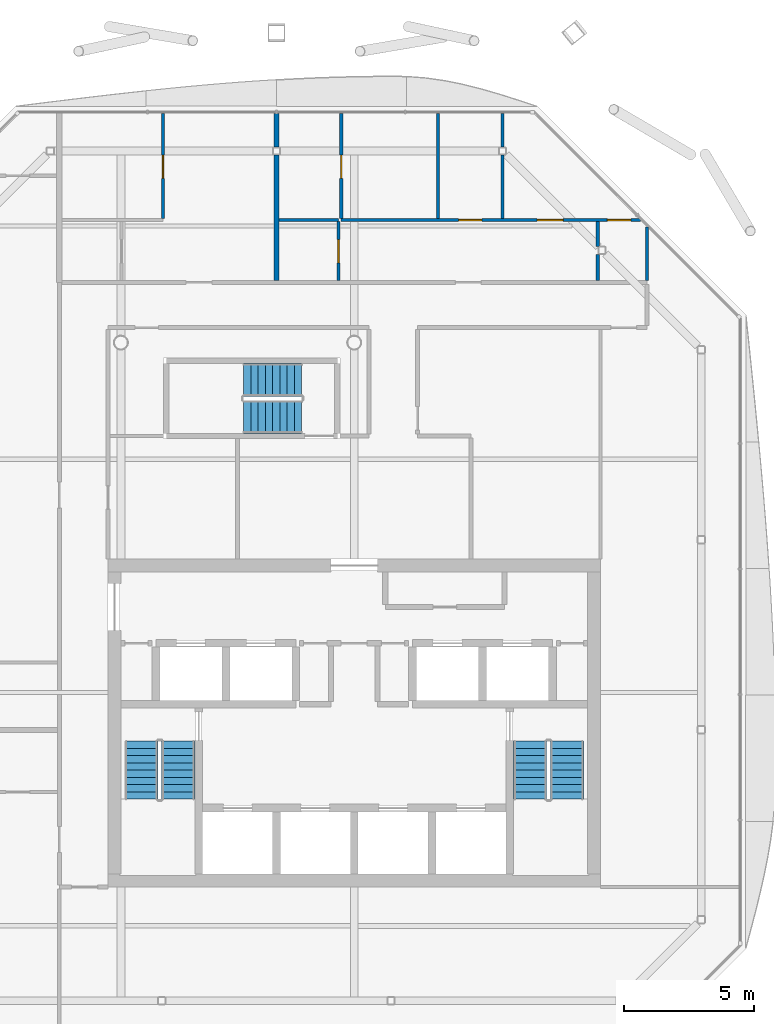
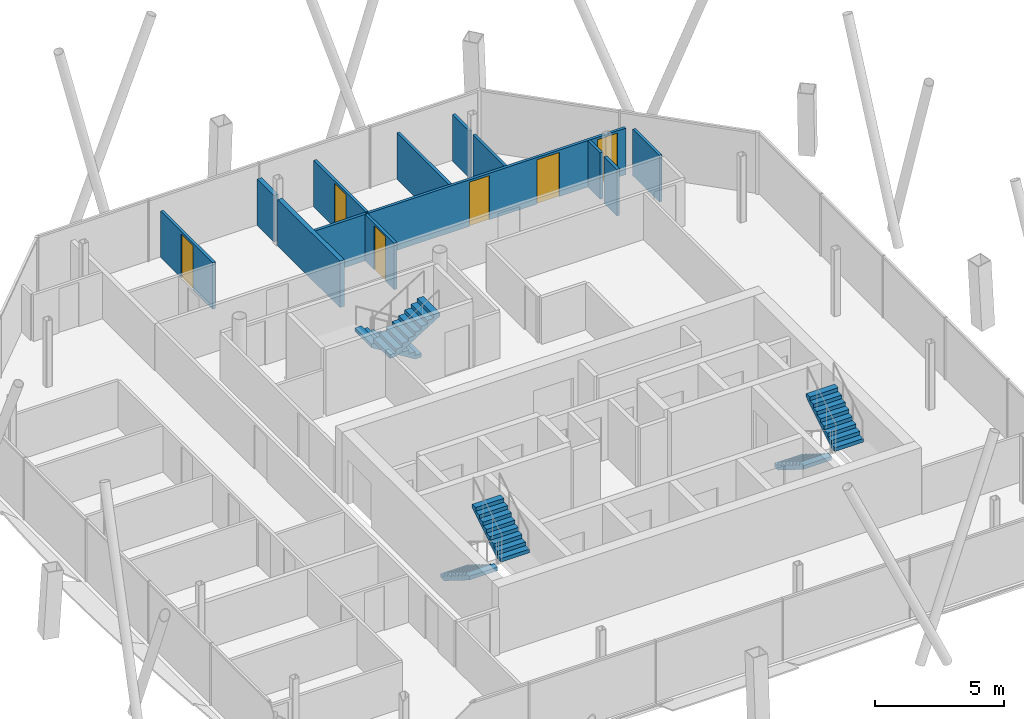
# One storey, part 14 of 17: 13 walls, 6 doors, 6 stair flights, 6 openings, 3 elements without a shape of their own.
"""IFC4 building model written with IfcOpenShell, lengths in metres."""

from ifc_helpers import new_model, si_unit, direction, frame, frame_2d, origin, place, context, subcontext, project, spatial, polyline, rectangle, outline, extrude, material, layer, layer_set, type_object, element, fill, aggregate, save


model = new_model("IFC4")

# Units and contexts
model_context = context("Model", 3, precision=1e-05, world=origin(), true_north=direction((0.0, 1.0)))
body_context = subcontext(model_context, "Body", "Model", "MODEL_VIEW")
ifc_project = project(units=[si_unit("LENGTHUNIT", "METRE"), si_unit("AREAUNIT", "SQUARE_METRE"), si_unit("VOLUMEUNIT", "CUBIC_METRE"), si_unit("PLANEANGLEUNIT", "RADIAN"), si_unit("MASSUNIT", "GRAM", prefix="KILO")], contexts=[model_context])

# Site, building, storey
site_placement = place(None, origin())
site = spatial("IfcSite", under=ifc_project, at=site_placement, CompositionType="ELEMENT")
building_placement = place(site_placement, origin())
building = spatial("IfcBuilding", under=site, at=building_placement, Name="Tskaro Facet Tower", CompositionType="ELEMENT")
storey_placement = place(building_placement, frame((0.0, 0.0, 236.10009765625)))
storey = spatial("IfcBuildingStorey", under=building, at=storey_placement, Name="L61", CompositionType="ELEMENT", Elevation=236.10009765625)

# Wall
ifc_material_1 = material(Name="Gypsum board on steel studs", Category="steel")
ifc_layer_1 = layer(ifc_material_1, 0.125, Name="Gypsum board on steel studs")
ifc_layer_set_1 = layer_set([ifc_layer_1], Name="Gypsum board on steel studs")
wall_type_1 = type_object("IfcWallType", Name="PART", PredefinedType="PARTITIONING", material=ifc_layer_set_1)
wall_1_placement = place(storey_placement, frame((-2.89990234375, 13.72509765625, 0.0), z_axis=(0.0, 0.0, 1.0), x_axis=(1.0, 0.0, 0.0)))
element("IfcWall", 1, at=wall_1_placement, inside=storey, type_object=wall_type_1, Name="Partition W036", PredefinedType="PARTITIONING", context=body_context, shape_type="SweptSolid", body=[
    extrude(rectangle(XDim=2.2998046875, YDim=0.125, at=frame_2d((1.14990234375, 0.0))), origin(), (0.0, 0.0, 1.0), 2.2099609375),
])

# Wall, openings, doors
wall_2_placement = place(storey_placement, frame((-0.5, 13.72509765625, 0.0), z_axis=(0.0, 0.0, 1.0), x_axis=(1.0, 0.0, 0.0)))
wall_2 = element("IfcWall", 2, at=wall_2_placement, inside=storey, type_object=wall_type_1, Name="Partition W037", PredefinedType="PARTITIONING", context=body_context, shape_type="SweptSolid", body=[
    extrude(rectangle(XDim=11.5419921875, YDim=0.125, at=frame_2d((5.77099609375, 0.0))), origin(), (0.0, 0.0, 1.0), 2.2099609375),
])
opening_1_placement = place(wall_2_placement, frame((4.530029296875, 0.0, 0.0)))
opening_1 = element("IfcOpeningElement", 3, at=opening_1_placement, cuts=wall_2, Name="Opening T18-D27", PredefinedType="OPENING", context=body_context, shape_type="SweptSolid", body=[
    extrude(rectangle(XDim=0.89990234375, YDim=2.10009765625, at=frame_2d((0.449951171875, 1.050048828125))), frame((0.0, 0.072509765625, 0.0), z_axis=(0.0, -1.0, 0.0), x_axis=(1.0, 0.0, 0.0)), (0.0, 0.0, 1.0), 0.14501953125),
])
opening_2_placement = place(wall_2_placement, frame((7.5625, 0.0, 0.0)))
opening_2 = element("IfcOpeningElement", 4, at=opening_2_placement, cuts=wall_2, Name="Opening T18-D28", PredefinedType="OPENING", context=body_context, shape_type="SweptSolid", body=[
    extrude(rectangle(XDim=1.0, YDim=2.10009765625, at=frame_2d((0.5, 1.050048828125))), frame((0.0, 0.072509765625, 0.0), z_axis=(0.0, -1.0, 0.0), x_axis=(1.0, 0.0, 0.0)), (0.0, 0.0, 1.0), 0.14501953125),
])
opening_3_placement = place(wall_2_placement, frame((10.27099609375, 0.0, 0.0)))
opening_3 = element("IfcOpeningElement", 5, at=opening_3_placement, cuts=wall_2, Name="Opening T18-D29", PredefinedType="OPENING", context=body_context, shape_type="SweptSolid", body=[
    extrude(rectangle(XDim=0.89990234375, YDim=2.10009765625, at=frame_2d((0.449951171875, 1.050048828125))), frame((0.0, 0.072509765625, 0.0), z_axis=(0.0, -1.0, 0.0), x_axis=(1.0, 0.0, 0.0)), (0.0, 0.0, 1.0), 0.14501953125),
])
ifc_material_2 = material(Name="Timber", Category="wood")
door_type_1 = type_object("IfcDoorType", Name="D-ROOM", OperationType="NOTDEFINED", PredefinedType="DOOR", material=ifc_material_2)
door_1_placement = place(opening_1_placement, origin())
door_1 = element("IfcDoor", 6, at=door_1_placement, inside=storey, type_object=door_type_1, Name="Door T18-D27", OperationType="SINGLE_SWING_LEFT", OverallHeight=2.10009765625, OverallWidth=0.89990234375, PredefinedType="DOOR", context=body_context, shape_type="SweptSolid", body=[
    extrude(rectangle(XDim=0.89990234375, YDim=2.10009765625, at=frame_2d((0.449951171875, 1.050048828125))), frame((0.0, 0.02490234375, 0.0), z_axis=(0.0, -1.0, 0.0), x_axis=(1.0, 0.0, 0.0)), (0.0, 0.0, 1.0), 0.050048828125),
])
fill(opening_1, door_1)
door_2_placement = place(opening_3_placement, origin())
door_2 = element("IfcDoor", 7, at=door_2_placement, inside=storey, type_object=door_type_1, Name="Door T18-D29", OperationType="SINGLE_SWING_LEFT", OverallHeight=2.10009765625, OverallWidth=0.89990234375, PredefinedType="DOOR", context=body_context, shape_type="SweptSolid", body=[
    extrude(rectangle(XDim=0.89990234375, YDim=2.10009765625, at=frame_2d((0.449951171875, 1.050048828125))), frame((0.0, 0.02490234375, 0.0), z_axis=(0.0, -1.0, 0.0), x_axis=(1.0, 0.0, 0.0)), (0.0, 0.0, 1.0), 0.050048828125),
])
fill(opening_3, door_2)
door_type_2 = type_object("IfcDoorType", Name="D-ROOM-WIDE", OperationType="NOTDEFINED", PredefinedType="DOOR", material=ifc_material_2)
door_3_placement = place(opening_2_placement, origin())
door_3 = element("IfcDoor", 8, at=door_3_placement, inside=storey, type_object=door_type_2, Name="Door T18-D28", OperationType="SINGLE_SWING_LEFT", OverallHeight=2.10009765625, OverallWidth=1.0, PredefinedType="DOOR", context=body_context, shape_type="SweptSolid", body=[
    extrude(rectangle(XDim=1.0, YDim=2.10009765625, at=frame_2d((0.5, 1.050048828125))), frame((0.0, 0.02490234375, 0.0), z_axis=(0.0, -1.0, 0.0), x_axis=(1.0, 0.0, 0.0)), (0.0, 0.0, 1.0), 0.050048828125),
])
fill(opening_2, door_3)

# Wall, opening, door
wall_3_placement = place(storey_placement, frame((-7.375, 13.78759765625, 0.0), z_axis=(0.0, 0.0, 1.0), x_axis=(0.0, 1.0, 0.0)))
wall_3 = element("IfcWall", 9, at=wall_3_placement, inside=storey, type_object=wall_type_1, Name="Partition W047", PredefinedType="PARTITIONING", context=body_context, shape_type="SweptSolid", body=[
    extrude(rectangle(XDim=4.051513671875, YDim=0.125, at=frame_2d((2.02587890625, 0.0))), origin(), (0.0, 0.0, 1.0), 2.2099609375),
])
opening_4_placement = place(wall_3_placement, frame((1.54443359375, 0.0, 0.0)))
opening_4 = element("IfcOpeningElement", 10, at=opening_4_placement, cuts=wall_3, Name="Opening T18-D31", PredefinedType="OPENING", context=body_context, shape_type="SweptSolid", body=[
    extrude(rectangle(XDim=0.89990234375, YDim=2.10009765625, at=frame_2d((0.449951171875, 1.050048828125))), frame((0.0, 0.072509765625, 0.0), z_axis=(0.0, -1.0, 0.0), x_axis=(1.0, 0.0, 0.0)), (0.0, 0.0, 1.0), 0.14501953125),
])
door_4_placement = place(opening_4_placement, origin())
door_4 = element("IfcDoor", 11, at=door_4_placement, inside=storey, type_object=door_type_1, Name="Door T18-D31", OperationType="SINGLE_SWING_RIGHT", OverallHeight=2.10009765625, OverallWidth=0.89990234375, PredefinedType="DOOR", context=body_context, shape_type="SweptSolid", body=[
    extrude(rectangle(XDim=0.89990234375, YDim=2.10009765625, at=frame_2d((0.449951171875, 1.050048828125))), frame((0.0, 0.02490234375, 0.0), z_axis=(0.0, -1.0, 0.0), x_axis=(1.0, 0.0, 0.0)), (0.0, 0.0, 1.0), 0.050048828125),
])
fill(opening_4, door_4)

wall_4_placement = place(storey_placement, frame((-0.60009765625, 11.39990234375, 0.0), z_axis=(0.0, 0.0, 1.0), x_axis=(0.0, 1.0, 0.0)))
wall_4 = element("IfcWall", 12, at=wall_4_placement, inside=storey, type_object=wall_type_1, Name="Partition W058", PredefinedType="PARTITIONING", context=body_context, shape_type="SweptSolid", body=[
    extrude(rectangle(XDim=2.2626953125, YDim=0.125, at=frame_2d((1.13134765625, 0.0))), origin(), (0.0, 0.0, 1.0), 2.2099609375),
])
opening_5_placement = place(wall_4_placement, frame((0.675048828125, 0.0, 0.0)))
opening_5 = element("IfcOpeningElement", 13, at=opening_5_placement, cuts=wall_4, Name="Opening T18-D26", PredefinedType="OPENING", context=body_context, shape_type="SweptSolid", body=[
    extrude(rectangle(XDim=0.89990234375, YDim=2.10009765625, at=frame_2d((0.449951171875, 1.050048828125))), frame((0.0, 0.072509765625, 0.0), z_axis=(0.0, -1.0, 0.0), x_axis=(1.0, 0.0, 0.0)), (0.0, 0.0, 1.0), 0.14501953125),
])
door_5_placement = place(opening_5_placement, origin())
door_5 = element("IfcDoor", 14, at=door_5_placement, inside=storey, type_object=door_type_1, Name="Door T18-D26", OperationType="SINGLE_SWING_LEFT", OverallHeight=2.10009765625, OverallWidth=0.89990234375, PredefinedType="DOOR", context=body_context, shape_type="SweptSolid", body=[
    extrude(rectangle(XDim=0.89990234375, YDim=2.10009765625, at=frame_2d((0.449951171875, 1.050048828125))), frame((0.0, 0.02490234375, 0.0), z_axis=(0.0, -1.0, 0.0), x_axis=(1.0, 0.0, 0.0)), (0.0, 0.0, 1.0), 0.050048828125),
])
fill(opening_5, door_5)

wall_5_placement = place(storey_placement, frame((-0.5, 17.839111328125, 0.0), z_axis=(0.0, 0.0, 1.0), x_axis=(0.0, -1.0, 0.0)))
wall_5 = element("IfcWall", 15, at=wall_5_placement, inside=storey, type_object=wall_type_1, Name="Partition W059", PredefinedType="PARTITIONING", context=body_context, shape_type="SweptSolid", body=[
    extrude(rectangle(XDim=4.051513671875, YDim=0.125, at=frame_2d((2.02587890625, 0.0))), origin(), (0.0, 0.0, 1.0), 2.2099609375),
])
opening_6_placement = place(wall_5_placement, frame((1.60693359375, 0.0, 0.0)))
opening_6 = element("IfcOpeningElement", 16, at=opening_6_placement, cuts=wall_5, Name="Opening T18-D32", PredefinedType="OPENING", context=body_context, shape_type="SweptSolid", body=[
    extrude(rectangle(XDim=0.89990234375, YDim=2.10009765625, at=frame_2d((0.449951171875, 1.050048828125))), frame((0.0, 0.072509765625, 0.0), z_axis=(0.0, -1.0, 0.0), x_axis=(1.0, 0.0, 0.0)), (0.0, 0.0, 1.0), 0.14501953125),
])
door_6_placement = place(opening_6_placement, origin())
door_6 = element("IfcDoor", 17, at=door_6_placement, inside=storey, type_object=door_type_1, Name="Door T18-D32", OperationType="SINGLE_SWING_LEFT", OverallHeight=2.10009765625, OverallWidth=0.89990234375, PredefinedType="DOOR", context=body_context, shape_type="SweptSolid", body=[
    extrude(rectangle(XDim=0.89990234375, YDim=2.10009765625, at=frame_2d((0.449951171875, 1.050048828125))), frame((0.0, 0.02490234375, 0.0), z_axis=(0.0, -1.0, 0.0), x_axis=(1.0, 0.0, 0.0)), (0.0, 0.0, 1.0), 0.050048828125),
])
fill(opening_6, door_6)

# Walls
wall_6_placement = place(storey_placement, frame((3.235107421875, 13.78759765625, 0.0), z_axis=(0.0, 0.0, 1.0), x_axis=(0.0, 1.0, 0.0)))
element("IfcWall", 18, at=wall_6_placement, inside=storey, type_object=wall_type_1, Name="Partition W067", PredefinedType="PARTITIONING", context=body_context, shape_type="SweptSolid", body=[
    extrude(rectangle(XDim=4.051513671875, YDim=0.125, at=frame_2d((2.02587890625, 0.0))), origin(), (0.0, 0.0, 1.0), 2.2099609375),
])
wall_7_placement = place(storey_placement, frame((5.72509765625, 13.78759765625, 0.0), z_axis=(0.0, 0.0, 1.0), x_axis=(0.0, 1.0, 0.0)))
element("IfcWall", 19, at=wall_7_placement, inside=storey, type_object=wall_type_1, Name="Partition W070", PredefinedType="PARTITIONING", context=body_context, shape_type="SweptSolid", body=[
    extrude(rectangle(XDim=2.453369140625, YDim=0.125, at=frame_2d((1.2265625, 0.0))), origin(), (0.0, 0.0, 1.0), 2.2099609375),
])
wall_8_placement = place(storey_placement, frame((5.72509765625, 16.541015625, 0.0), z_axis=(0.0, 0.0, 1.0), x_axis=(0.0, 1.0, 0.0)))
element("IfcWall", 20, at=wall_8_placement, inside=storey, type_object=wall_type_1, Name="Partition W071", PredefinedType="PARTITIONING", context=body_context, shape_type="SweptSolid", body=[
    extrude(rectangle(XDim=1.298095703125, YDim=0.125, at=frame_2d((0.64892578125, 0.0))), origin(), (0.0, 0.0, 1.0), 2.2099609375),
])
wall_9_placement = place(storey_placement, frame((9.39990234375, 11.39990234375, 0.0), z_axis=(0.0, 0.0, 1.0), x_axis=(0.0, 1.0, 0.0)))
element("IfcWall", 21, at=wall_9_placement, inside=storey, type_object=wall_type_1, Name="Partition W075", PredefinedType="PARTITIONING", context=body_context, shape_type="SweptSolid", body=[
    extrude(rectangle(XDim=1.008056640625, YDim=0.125, at=frame_2d((0.50390625, 0.0))), origin(), (0.0, 0.0, 1.0), 2.2099609375),
])
wall_10_placement = place(storey_placement, frame((9.39990234375, 12.7080078125, 0.0), z_axis=(0.0, 0.0, 1.0), x_axis=(0.0, 1.0, 0.0)))
element("IfcWall", 22, at=wall_10_placement, inside=storey, type_object=wall_type_1, Name="Partition W076", PredefinedType="PARTITIONING", context=body_context, shape_type="SweptSolid", body=[
    extrude(rectangle(XDim=0.95458984375, YDim=0.125, at=frame_2d((0.477294921875, 0.0))), origin(), (0.0, 0.0, 1.0), 2.2099609375),
])
wall_11_placement = place(storey_placement, frame((11.300048828125, 11.39990234375, 0.0), z_axis=(0.0, 0.0, 1.0), x_axis=(0.0, 1.0, 0.0)))
element("IfcWall", 23, at=wall_11_placement, inside=storey, type_object=wall_type_1, Name="Partition W079", PredefinedType="PARTITIONING", context=body_context, shape_type="SweptSolid", body=[
    extrude(rectangle(XDim=2.067138671875, YDim=0.125, at=frame_2d((1.03369140625, 0.0))), origin(), (0.0, 0.0, 1.0), 2.2099609375),
])
ifc_layer_2 = layer(ifc_material_1, 0.199951171875, Name="Gypsum board on steel studs")
ifc_layer_set_2 = layer_set([ifc_layer_2], Name="Gypsum board on steel studs")
wall_type_2 = type_object("IfcWallType", Name="PART-DEMISING", PredefinedType="PARTITIONING", material=ifc_layer_set_2)
wall_12_placement = place(storey_placement, frame((-3.0, 11.39990234375, 0.0), z_axis=(0.0, 0.0, 1.0), x_axis=(0.0, 1.0, 0.0)))
element("IfcWall", 24, at=wall_12_placement, inside=storey, type_object=wall_type_2, Name="Guest room wall W053", PredefinedType="PARTITIONING", context=body_context, shape_type="SweptSolid", body=[
    extrude(rectangle(XDim=4.841064453125, YDim=0.199951171875, at=frame_2d((2.42041015625, 0.0))), origin(), (0.0, 0.0, 1.0), 2.2099609375),
])
wall_13_placement = place(storey_placement, frame((-3.0, 16.541015625, 0.0), z_axis=(0.0, 0.0, 1.0), x_axis=(0.0, 1.0, 0.0)))
element("IfcWall", 25, at=wall_13_placement, inside=storey, type_object=wall_type_2, Name="Guest room wall W054", PredefinedType="PARTITIONING", context=body_context, shape_type="SweptSolid", body=[
    extrude(rectangle(XDim=1.298095703125, YDim=0.199951171875, at=frame_2d((0.64892578125, 0.0))), origin(), (0.0, 0.0, 1.0), 2.2099609375),
])

# Stair, stair flights
ifc_material_3 = material(Name="Concrete C40/50", Category="concrete")
stair_type = type_object("IfcStairType", Name="ST-TWR", PredefinedType="HALF_TURN_STAIR", material=ifc_material_3)
stair_1_placement = place(storey_placement, origin())
stair_1 = element("IfcStair", 26, at=stair_1_placement, inside=storey, type_object=stair_type, Name="L61 Exit stair 1", PredefinedType="HALF_TURN_STAIR")
stair_flight_type = type_object("IfcStairFlightType", Name="SFL-RC", PredefinedType="STRAIGHT", material=ifc_material_3)
stair_flight_1_placement = place(storey_placement, frame((-8.21240234375, -6.375, 0.0), z_axis=(0.0, 0.0, 1.0), x_axis=(0.0, -1.0, 0.0)))
stair_flight_1 = element("IfcStairFlight", 27, at=stair_flight_1_placement, type_object=stair_flight_type, Name="ST-1 flight 1", NumberOfRisers=9, NumberOfTreads=8, PredefinedType="STRAIGHT", RiserHeight=0.175, TreadLength=0.28, context=body_context, shape_type="SweptSolid", body=[
    extrude(outline(polyline([(0.0, 0.0), (0.0, 0.175048828125), (0.280029296875, 0.175048828125), (0.280029296875, 0.35009765625), (0.56005859375, 0.35009765625), (0.56005859375, 0.52490234375), (0.840087890625, 0.52490234375), (0.840087890625, 0.699951171875), (1.1201171875, 0.699951171875), (1.1201171875, 0.875), (1.39990234375, 0.875), (1.39990234375, 1.050048828125), (1.679931640625, 1.050048828125), (1.679931640625, 1.22509765625), (1.9599609375, 1.22509765625), (1.9599609375, 1.39990234375), (2.239990234375, 1.39990234375), (2.239990234375, 1.574951171875), (2.239990234375, 1.22314453125), (0.28271484375, 0.0), (0.0, 0.0)])), frame((0.0, 0.637451171875, 0.0), z_axis=(0.0, -1.0, 0.0), x_axis=(1.0, 0.0, 0.0)), (0.0, 0.0, 1.0), 1.27490234375),
])
stair_flight_2_placement = place(storey_placement, frame((-6.78759765625, -8.614990234375, 1.574951171875), z_axis=(0.0, 0.0, 1.0), x_axis=(0.0, 1.0, 0.0)))
stair_flight_2 = element("IfcStairFlight", 28, at=stair_flight_2_placement, type_object=stair_flight_type, Name="ST-1 flight 2", NumberOfRisers=9, NumberOfTreads=8, PredefinedType="STRAIGHT", RiserHeight=0.175, TreadLength=0.28, context=body_context, shape_type="SweptSolid", body=[
    extrude(outline(polyline([(0.0, 0.0), (0.0, 0.175048828125), (0.280029296875, 0.175048828125), (0.280029296875, 0.35009765625), (0.56005859375, 0.35009765625), (0.56005859375, 0.52490234375), (0.840087890625, 0.52490234375), (0.840087890625, 0.699951171875), (1.1201171875, 0.699951171875), (1.1201171875, 0.875), (1.39990234375, 0.875), (1.39990234375, 1.050048828125), (1.679931640625, 1.050048828125), (1.679931640625, 1.22509765625), (1.9599609375, 1.22509765625), (1.9599609375, 1.39990234375), (2.239990234375, 1.39990234375), (2.239990234375, 1.574951171875), (2.239990234375, 1.22314453125), (0.28271484375, 0.0), (0.0, 0.0)])), frame((0.0, 0.637451171875, 0.0), z_axis=(0.0, -1.0, 0.0), x_axis=(1.0, 0.0, 0.0)), (0.0, 0.0, 1.0), 1.27490234375),
])
aggregate(stair_1, [stair_flight_1, stair_flight_2])

stair_2_placement = place(storey_placement, origin())
stair_2 = element("IfcStair", 29, at=stair_2_placement, inside=storey, type_object=stair_type, Name="L61 Exit stair 2", PredefinedType="HALF_TURN_STAIR")
stair_flight_3_placement = place(storey_placement, frame((6.78759765625, -6.375, 0.0), z_axis=(0.0, 0.0, 1.0), x_axis=(0.0, -1.0, 0.0)))
stair_flight_3 = element("IfcStairFlight", 30, at=stair_flight_3_placement, type_object=stair_flight_type, Name="ST-2 flight 1", NumberOfRisers=9, NumberOfTreads=8, PredefinedType="STRAIGHT", RiserHeight=0.175, TreadLength=0.28, context=body_context, shape_type="SweptSolid", body=[
    extrude(outline(polyline([(0.0, 0.0), (0.0, 0.175048828125), (0.280029296875, 0.175048828125), (0.280029296875, 0.35009765625), (0.56005859375, 0.35009765625), (0.56005859375, 0.52490234375), (0.840087890625, 0.52490234375), (0.840087890625, 0.699951171875), (1.1201171875, 0.699951171875), (1.1201171875, 0.875), (1.39990234375, 0.875), (1.39990234375, 1.050048828125), (1.679931640625, 1.050048828125), (1.679931640625, 1.22509765625), (1.9599609375, 1.22509765625), (1.9599609375, 1.39990234375), (2.239990234375, 1.39990234375), (2.239990234375, 1.574951171875), (2.239990234375, 1.22314453125), (0.28271484375, 0.0), (0.0, 0.0)])), frame((0.0, 0.637451171875, 0.0), z_axis=(0.0, -1.0, 0.0), x_axis=(1.0, 0.0, 0.0)), (0.0, 0.0, 1.0), 1.27490234375),
])
stair_flight_4_placement = place(storey_placement, frame((8.21240234375, -8.614990234375, 1.574951171875), z_axis=(0.0, 0.0, 1.0), x_axis=(0.0, 1.0, 0.0)))
stair_flight_4 = element("IfcStairFlight", 31, at=stair_flight_4_placement, type_object=stair_flight_type, Name="ST-2 flight 2", NumberOfRisers=9, NumberOfTreads=8, PredefinedType="STRAIGHT", RiserHeight=0.175, TreadLength=0.28, context=body_context, shape_type="SweptSolid", body=[
    extrude(outline(polyline([(0.0, 0.0), (0.0, 0.175048828125), (0.280029296875, 0.175048828125), (0.280029296875, 0.35009765625), (0.56005859375, 0.35009765625), (0.56005859375, 0.52490234375), (0.840087890625, 0.52490234375), (0.840087890625, 0.699951171875), (1.1201171875, 0.699951171875), (1.1201171875, 0.875), (1.39990234375, 0.875), (1.39990234375, 1.050048828125), (1.679931640625, 1.050048828125), (1.679931640625, 1.22509765625), (1.9599609375, 1.22509765625), (1.9599609375, 1.39990234375), (2.239990234375, 1.39990234375), (2.239990234375, 1.574951171875), (2.239990234375, 1.22314453125), (0.28271484375, 0.0), (0.0, 0.0)])), frame((0.0, 0.637451171875, 0.0), z_axis=(0.0, -1.0, 0.0), x_axis=(1.0, 0.0, 0.0)), (0.0, 0.0, 1.0), 1.27490234375),
])
aggregate(stair_2, [stair_flight_3, stair_flight_4])

stair_3_placement = place(storey_placement, origin())
stair_3 = element("IfcStair", 32, at=stair_3_placement, inside=storey, type_object=stair_type, Name="L61 Exit stair 3", PredefinedType="HALF_TURN_STAIR")
stair_flight_5_placement = place(storey_placement, frame((-2.02490234375, 7.5625, 0.0), z_axis=(0.0, 0.0, 1.0), x_axis=(-1.0, 0.0, 0.0)))
stair_flight_5 = element("IfcStairFlight", 33, at=stair_flight_5_placement, type_object=stair_flight_type, Name="ST-3 flight 1", NumberOfRisers=9, NumberOfTreads=8, PredefinedType="STRAIGHT", RiserHeight=0.175, TreadLength=0.28, context=body_context, shape_type="SweptSolid", body=[
    extrude(outline(polyline([(0.0, 0.0), (0.0, 0.175048828125), (0.280029296875, 0.175048828125), (0.280029296875, 0.35009765625), (0.56005859375, 0.35009765625), (0.56005859375, 0.52490234375), (0.840087890625, 0.52490234375), (0.840087890625, 0.699951171875), (1.1201171875, 0.699951171875), (1.1201171875, 0.875), (1.39990234375, 0.875), (1.39990234375, 1.050048828125), (1.679931640625, 1.050048828125), (1.679931640625, 1.22509765625), (1.9599609375, 1.22509765625), (1.9599609375, 1.39990234375), (2.239990234375, 1.39990234375), (2.239990234375, 1.574951171875), (2.239990234375, 1.22314453125), (0.28271484375, 0.0), (0.0, 0.0)])), frame((0.0, 0.637451171875, 0.0), z_axis=(0.0, -1.0, 0.0), x_axis=(1.0, 0.0, 0.0)), (0.0, 0.0, 1.0), 1.27490234375),
])
stair_flight_6_placement = place(storey_placement, frame((-4.264892578125, 6.137451171875, 1.574951171875), z_axis=(0.0, 0.0, 1.0), x_axis=(1.0, 0.0, 0.0)))
stair_flight_6 = element("IfcStairFlight", 34, at=stair_flight_6_placement, type_object=stair_flight_type, Name="ST-3 flight 2", NumberOfRisers=9, NumberOfTreads=8, PredefinedType="STRAIGHT", RiserHeight=0.175, TreadLength=0.28, context=body_context, shape_type="SweptSolid", body=[
    extrude(outline(polyline([(0.0, 0.0), (0.0, 0.175048828125), (0.280029296875, 0.175048828125), (0.280029296875, 0.35009765625), (0.56005859375, 0.35009765625), (0.56005859375, 0.52490234375), (0.840087890625, 0.52490234375), (0.840087890625, 0.699951171875), (1.1201171875, 0.699951171875), (1.1201171875, 0.875), (1.39990234375, 0.875), (1.39990234375, 1.050048828125), (1.679931640625, 1.050048828125), (1.679931640625, 1.22509765625), (1.9599609375, 1.22509765625), (1.9599609375, 1.39990234375), (2.239990234375, 1.39990234375), (2.239990234375, 1.574951171875), (2.239990234375, 1.22314453125), (0.28271484375, 0.0), (0.0, 0.0)])), frame((0.0, 0.637451171875, 0.0), z_axis=(0.0, -1.0, 0.0), x_axis=(1.0, 0.0, 0.0)), (0.0, 0.0, 1.0), 1.27490234375),
])
aggregate(stair_3, [stair_flight_5, stair_flight_6])

save(model, "model.ifc")
